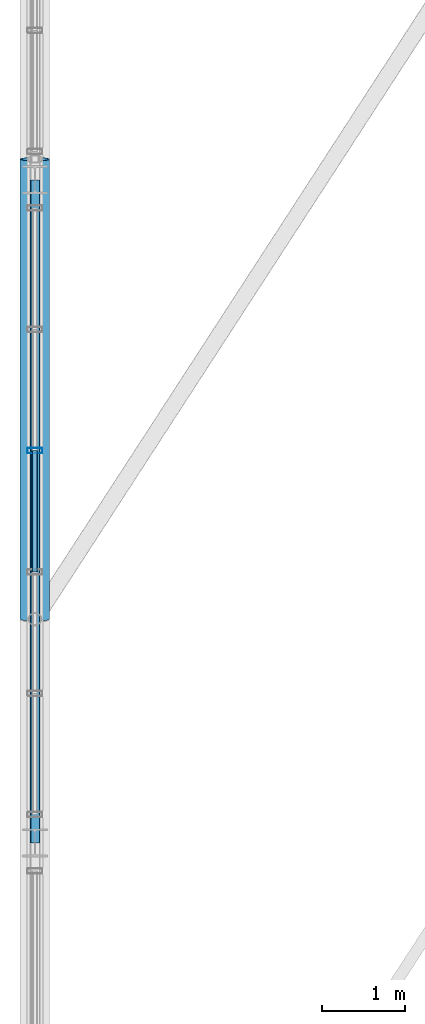
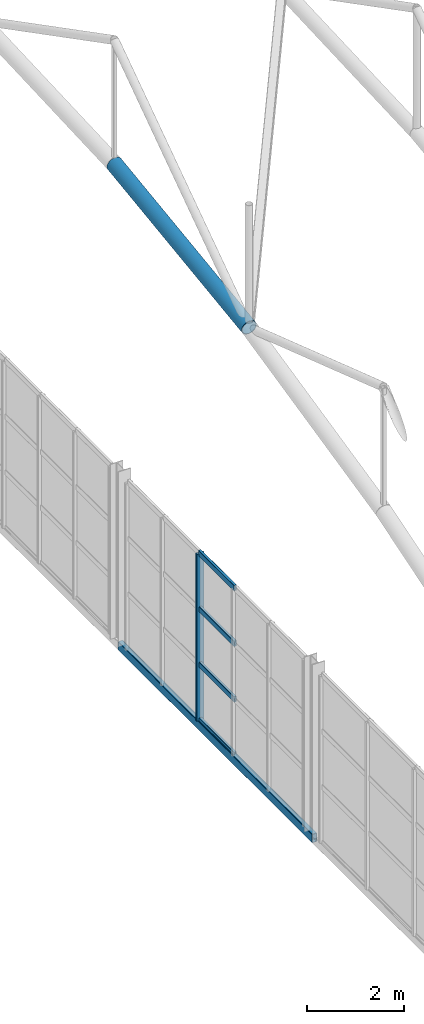
# One storey, part 26 of 153: 6 members, 1 beam, 1 element without a shape of its own.
"""IFC4 building model written with IfcOpenShell, lengths in metres."""

from ifc_helpers import new_model, si_unit, derived_unit, direction, frame, origin, origin_2d, place, context, subcontext, project, spatial, hollow_rectangle, hollow_circle, extrude, material, material_profile, profile_set, type_object, element, aggregate, save


model = new_model("IFC4")

# Units and contexts
model_context = context("Model", 3, precision=1e-05, world=origin(), true_north=direction((0.0, 1.0)))
body_context = subcontext(model_context, "Body", "Model", "MODEL_VIEW")
ifc_project = project(units=[si_unit("LENGTHUNIT", "METRE"), si_unit("AREAUNIT", "SQUARE_METRE"), si_unit("VOLUMEUNIT", "CUBIC_METRE"), si_unit("PLANEANGLEUNIT", "RADIAN"), si_unit("MASSUNIT", "GRAM", prefix="KILO"), derived_unit("THERMALTRANSMITTANCEUNIT", [(si_unit("POWERUNIT", "WATT"), 1), (si_unit("LENGTHUNIT", "METRE"), -2), (si_unit("THERMODYNAMICTEMPERATUREUNIT", "KELVIN"), -1)])], contexts=[model_context])

# Site, building, storey
site_placement = place(None, origin())
site = spatial("IfcSite", under=ifc_project, at=site_placement, CompositionType="ELEMENT")
building_placement = place(site_placement, origin())
building = spatial("IfcBuilding", under=site, at=building_placement, Name="Keldorne Ridge Multi-Sports Centre", CompositionType="ELEMENT")
storey_placement = place(building_placement, frame((0.0, 0.0, 9.60009765625)))
storey = spatial("IfcBuildingStorey", under=building, at=storey_placement, Name="L02", CompositionType="ELEMENT", Elevation=9.60009765625)

# Beam
ifc_material_1 = material(Name="Steel S355", Category="steel")
ifc_material_profile_1 = material_profile(ifc_material_1, hollow_rectangle(XDim=0.1201171875, YDim=0.219970703125, WallThickness=0.010009765625, InnerFilletRadius=0.010009765625, OuterFilletRadius=0.02001953125, at=origin_2d()), Name="RHS 220x120x10")
ifc_profile_set_1 = profile_set([ifc_material_profile_1], Name="Steel S355")
beam_type = type_object("IfcBeamType", Name="BM-SP-07", PredefinedType="SPANDREL", material=ifc_profile_set_1)
beam_placement = place(storey_placement, frame((6.0, 18.0, -0.110107421875), z_axis=(0.0, 1.0, 0.0), x_axis=(-1.0, 0.0, 0.0)))
element("IfcBeam", 1, at=beam_placement, inside=storey, type_object=beam_type, Name="Main Hall west gable spandrel L02.2", PredefinedType="SPANDREL", context=body_context, shape_type="SweptSolid", body=[
    extrude(hollow_rectangle(XDim=0.1201171875, YDim=0.219970703125, WallThickness=0.010009765625, InnerFilletRadius=0.010009765625, OuterFilletRadius=0.02001953125, at=origin_2d()), origin(), (0.0, 0.0, 1.0), 8.0),
])

# Curtain wall, member
ifc_material_2 = material(Name="Anodized aluminium", Category="aluminium")
curtain_wall_type = type_object("IfcCurtainWallType", Name="CW-CW-06", PredefinedType="NOTDEFINED", material=ifc_material_2)
curtain_wall_placement = place(storey_placement, origin())
curtain_wall = element("IfcCurtainWall", 2, at=curtain_wall_placement, inside=storey, type_object=curtain_wall_type, Name="Main Hall west high gable glazing 030", PredefinedType="NOTDEFINED")
ifc_material_profile_2 = material_profile(ifc_material_2, hollow_rectangle(XDim=0.06494140625, YDim=0.179931640625, WallThickness=0.00439453125, InnerFilletRadius=0.00439453125, OuterFilletRadius=0.009033203125, at=origin_2d()), Name="ALU MULLION 180x65x4.5")
ifc_profile_set_2 = profile_set([ifc_material_profile_2], Name="Anodized aluminium")
member_type_1 = type_object("IfcMemberType", Name="MEM-ML-01", PredefinedType="MULLION", material=ifc_profile_set_2)
member_1_placement = place(storey_placement, frame((6.0, 22.73193359375, 0.0), z_axis=(0.0, 0.0, 1.0), x_axis=(0.0, 1.0, 0.0)))
member_1 = element("IfcMember", 3, at=member_1_placement, type_object=member_type_1, Name="CW-030 vertical mullion 3", PredefinedType="MULLION", context=body_context, shape_type="SweptSolid", body=[
    extrude(hollow_rectangle(XDim=0.06494140625, YDim=0.179931640625, WallThickness=0.00439453125, InnerFilletRadius=0.00439453125, OuterFilletRadius=0.009033203125, at=origin_2d()), origin(), (0.0, 0.0, 1.0), 4.199951171875),
])

# Member
ifc_material_profile_3 = material_profile(ifc_material_1, hollow_circle(Radius=0.177734375, WallThickness=0.01611328125, at=origin_2d()), Name="CHS 355.6x16")
ifc_profile_set_3 = profile_set([ifc_material_profile_3], Name="Steel S355")
member_type_2 = type_object("IfcMemberType", Name="MEM-TC-01", PredefinedType="CHORD", material=ifc_profile_set_3)
member_2_placement = place(storey_placement, frame((6.0, 20.699951171875, 11.099853515625), z_axis=(0.0, 0.990992586768, 0.13391673895), x_axis=(-1.0, 0.0, 0.0)))
element("IfcMember", 4, at=member_2_placement, inside=storey, type_object=member_type_2, Name="Main Hall ROOF TRUSS AT-01 bottom chord 3", PredefinedType="CHORD", context=body_context, shape_type="SweptSolid", body=[
    extrude(hollow_circle(Radius=0.177734375, WallThickness=0.01611328125, at=origin_2d()), origin(), (0.0, 0.0, 1.0), 5.6005859375),
])

ifc_material_profile_4 = material_profile(ifc_material_2, hollow_rectangle(XDim=0.06494140625, YDim=0.139892578125, WallThickness=0.00439453125, InnerFilletRadius=0.00439453125, OuterFilletRadius=0.009033203125, at=origin_2d()), Name="ALU TRANSOM 140x65x4.5")
ifc_profile_set_4 = profile_set([ifc_material_profile_4], Name="Anodized aluminium")
member_type_3 = type_object("IfcMemberType", Name="MEM-TR-01", PredefinedType="USERDEFINED", material=ifc_profile_set_4)
member_3_placement = place(storey_placement, frame((6.0, 22.73193359375, 0.0), z_axis=(0.0, -1.0, 0.0), x_axis=(1.0, 0.0, 0.0)))
member_3 = element("IfcMember", 5, at=member_3_placement, type_object=member_type_3, Name="CW-030 transom 3.1", ObjectType="TRANSOM", PredefinedType="USERDEFINED", context=body_context, shape_type="SweptSolid", body=[
    extrude(hollow_rectangle(XDim=0.06494140625, YDim=0.139892578125, WallThickness=0.00439453125, InnerFilletRadius=0.00439453125, OuterFilletRadius=0.009033203125, at=origin_2d()), origin(), (0.0, 0.0, 1.0), 1.4638671875),
])

member_4_placement = place(storey_placement, frame((6.0, 22.73193359375, 1.39990234375), z_axis=(0.0, -1.0, 0.0), x_axis=(1.0, 0.0, 0.0)))
member_4 = element("IfcMember", 6, at=member_4_placement, type_object=member_type_3, Name="CW-030 transom 3.2", ObjectType="TRANSOM", PredefinedType="USERDEFINED", context=body_context, shape_type="SweptSolid", body=[
    extrude(hollow_rectangle(XDim=0.06494140625, YDim=0.139892578125, WallThickness=0.00439453125, InnerFilletRadius=0.00439453125, OuterFilletRadius=0.009033203125, at=origin_2d()), origin(), (0.0, 0.0, 1.0), 1.4638671875),
])

member_5_placement = place(storey_placement, frame((6.0, 22.73193359375, 2.7998046875), z_axis=(0.0, -1.0, 0.0), x_axis=(1.0, 0.0, 0.0)))
member_5 = element("IfcMember", 7, at=member_5_placement, type_object=member_type_3, Name="CW-030 transom 3.3", ObjectType="TRANSOM", PredefinedType="USERDEFINED", context=body_context, shape_type="SweptSolid", body=[
    extrude(hollow_rectangle(XDim=0.06494140625, YDim=0.139892578125, WallThickness=0.00439453125, InnerFilletRadius=0.00439453125, OuterFilletRadius=0.009033203125, at=origin_2d()), origin(), (0.0, 0.0, 1.0), 1.4638671875),
])

member_6_placement = place(storey_placement, frame((6.0, 22.73193359375, 4.199951171875), z_axis=(0.0, -1.0, 0.0), x_axis=(1.0, 0.0, 0.0)))
member_6 = element("IfcMember", 8, at=member_6_placement, type_object=member_type_3, Name="CW-030 transom 3.4", ObjectType="TRANSOM", PredefinedType="USERDEFINED", context=body_context, shape_type="SweptSolid", body=[
    extrude(hollow_rectangle(XDim=0.06494140625, YDim=0.139892578125, WallThickness=0.00439453125, InnerFilletRadius=0.00439453125, OuterFilletRadius=0.009033203125, at=origin_2d()), origin(), (0.0, 0.0, 1.0), 1.4638671875),
])

aggregate(curtain_wall, [member_1, member_3, member_4, member_5, member_6])

save(model, "model.ifc")
